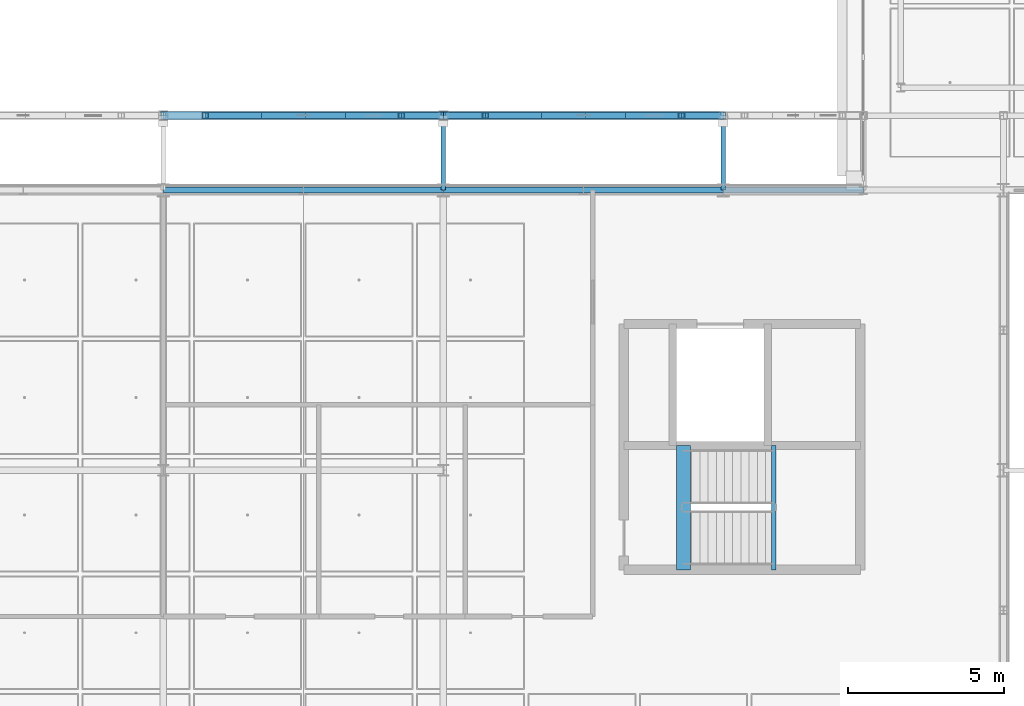
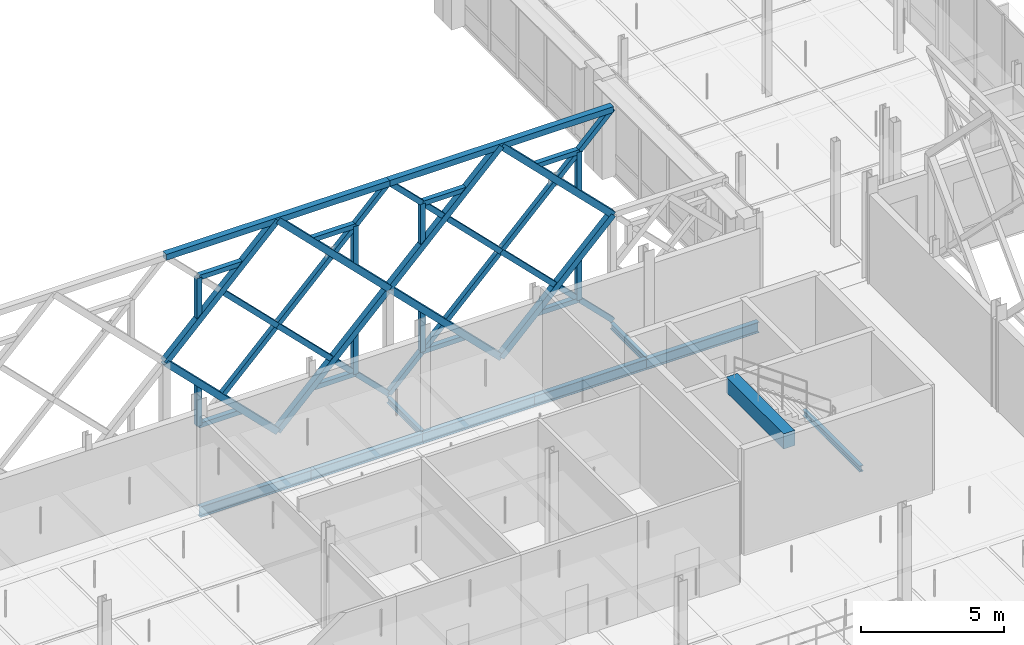
# One storey, part 40 of 140: 38 members, 9 beams.
"""IFC4 building model written with IfcOpenShell, lengths in metres."""

from ifc_helpers import new_model, si_unit, direction, frame, origin, origin_2d, place, context, subcontext, project, spatial, rectangle, hollow_rectangle, i_section, extrude, material, material_profile, profile_set, type_object, element, save


model = new_model("IFC4")

# Units and contexts
model_context = context("Model", 3, precision=1e-05, world=origin(), true_north=direction((0.0, 1.0)))
body_context = subcontext(model_context, "Body", "Model", "MODEL_VIEW")
ifc_project = project(units=[si_unit("LENGTHUNIT", "METRE"), si_unit("AREAUNIT", "SQUARE_METRE"), si_unit("VOLUMEUNIT", "CUBIC_METRE"), si_unit("PLANEANGLEUNIT", "RADIAN"), si_unit("MASSUNIT", "GRAM", prefix="KILO"), si_unit("THERMODYNAMICTEMPERATUREUNIT", "KELVIN"), si_unit("POWERUNIT", "WATT")], contexts=[model_context])

# Site, building, storey
site_placement = place(None, origin())
site = spatial("IfcSite", under=ifc_project, at=site_placement, CompositionType="ELEMENT")
building_placement = place(site_placement, origin())
building = spatial("IfcBuilding", under=site, at=building_placement, Name="Tallowbark Science Centre", CompositionType="ELEMENT")
storey_placement = place(building_placement, frame((0.0, 0.0, 9.89990234375)))
storey = spatial("IfcBuildingStorey", under=building, at=storey_placement, Name="L02", CompositionType="ELEMENT", Elevation=9.89990234375)

# Beams
ifc_material_1 = material(Name="Concrete Grade N40 (40 MPa)", Category="concrete")
ifc_material_profile_1 = material_profile(ifc_material_1, rectangle(XDim=0.449951171875, YDim=0.64990234375, at=origin_2d()), Name="RC450x650")
ifc_profile_set_1 = profile_set([ifc_material_profile_1], Name="Concrete Grade N40 (40 MPa)")
beam_type_1 = type_object("IfcBeamType", Name="BM-GB2-N40", PredefinedType="BEAM", material=ifc_profile_set_1)
beam_1_placement = place(storey_placement, frame((93.2099609375, 28.300048828125, 4.175048828125), z_axis=(0.0, 1.0, 0.0), x_axis=(-1.0, 0.0, 0.0)))
element("IfcBeam", 1, at=beam_1_placement, inside=storey, type_object=beam_type_1, Name="Stair ST-03 Landing Nosing Beam L02", PredefinedType="BEAM", context=body_context, shape_type="SweptSolid", body=[
    extrude(rectangle(XDim=0.449951171875, YDim=0.64990234375, at=origin_2d()), origin(), (0.0, 0.0, 1.0), 3.994873046875),
])
ifc_material_2 = material(Name="White Architectural Painted Steel Grade C350L0 (350 MPa)", Category="steel")
ifc_material_profile_2 = material_profile(ifc_material_2, i_section(OverallWidth=0.146484375, OverallDepth=0.256103515625, WebThickness=0.00634765625, FlangeThickness=0.010986328125, FilletRadius=0.0087890625, at=origin_2d()), Name="250UB37.3")
ifc_profile_set_2 = profile_set([ifc_material_profile_2], Name="White Architectural Painted Steel Grade C350L0 (350 MPa)")
beam_type_2 = type_object("IfcBeamType", Name="BM-OUT250", PredefinedType="BEAM", material=ifc_profile_set_2)
for number, where, z_axis, x_axis, name in (
    (2, (85.5, 40.5, -0.25), (0.0, 1.0, 0.0), (-1.0, 0.0, 0.0), "Star Screen Outrigger Tie Beam N-26"),
    (3, (94.5, 40.5, -0.25), (0.0, 1.0, 0.0), (-1.0, 0.0, 0.0), "Star Screen Outrigger Tie Beam N-28"),
):
    element("IfcBeam", number, at=place(storey_placement, frame(where, z_axis=z_axis, x_axis=x_axis)), inside=storey, type_object=beam_type_2, Name=name, PredefinedType="BEAM", context=body_context, shape_type="SweptSolid", body=[
        extrude(i_section(OverallWidth=0.146484375, OverallDepth=0.256103515625, WebThickness=0.00634765625, FlangeThickness=0.010986328125, FilletRadius=0.0087890625, at=origin_2d()), origin(), (0.0, 0.0, 1.0), 2.39990234375),
    ])
ifc_material_3 = material(Name="Structural Steel Grade 300PLUS (300 MPa)", Category="steel")
ifc_material_profile_3 = material_profile(ifc_material_3, i_section(OverallWidth=0.146484375, OverallDepth=0.256103515625, WebThickness=0.00634765625, FlangeThickness=0.010986328125, FilletRadius=0.0087890625, at=origin_2d()), Name="250UB37.3")
ifc_profile_set_3 = profile_set([ifc_material_profile_3], Name="Structural Steel Grade 300PLUS (300 MPa)")
beam_type_3 = type_object("IfcBeamType", Name="JST-UB250", PredefinedType="JOIST", material=ifc_profile_set_3)
beam_2_placement = place(storey_placement, frame((96.125, 28.300048828125, 1.922119140625), z_axis=(0.0, 1.0, 0.0), x_axis=(-1.0, 0.0, 0.0)))
element("IfcBeam", 4, at=beam_2_placement, inside=storey, type_object=beam_type_3, Name="Stair ST-03 Half-Landing Trimmer L02", PredefinedType="JOIST", context=body_context, shape_type="SweptSolid", body=[
    extrude(i_section(OverallWidth=0.146484375, OverallDepth=0.256103515625, WebThickness=0.00634765625, FlangeThickness=0.010986328125, FilletRadius=0.0087890625, at=origin_2d()), origin(), (0.0, 0.0, 1.0), 3.994873046875),
])

# Members
ifc_material_profile_4 = material_profile(ifc_material_2, hollow_rectangle(XDim=0.25, YDim=0.25, WallThickness=0.009033203125, at=origin_2d()), Name="250x250x9.0SHS")
ifc_profile_set_4 = profile_set([ifc_material_profile_4], Name="White Architectural Painted Steel Grade C350L0 (350 MPa)")
member_type_1 = type_object("IfcMemberType", Name="SCR-CHD200", PredefinedType="CHORD", material=ifc_profile_set_4)
member_1_placement = place(storey_placement, frame((76.5, 42.89990234375, 9.0), z_axis=(1.0, 0.0, 0.0), x_axis=(0.0, 1.0, 0.0)))
element("IfcMember", 5, at=member_1_placement, inside=storey, type_object=member_type_1, Name="Star Screen Frame Chord N-22", PredefinedType="CHORD", context=body_context, shape_type="SweptSolid", body=[
    extrude(hollow_rectangle(XDim=0.25, YDim=0.25, WallThickness=0.009033203125, at=origin_2d()), origin(), (0.0, 0.0, 1.0), 9.0),
])
for number, where, z_axis, x_axis, name in (
    (6, (81.0, 42.89990234375, 0.0), (0.707106781187, 0.0, 0.707106781187), (0.0, 1.0, 0.0), "Star Screen Octagram Diamond Chord N-22-1"),
    (7, (85.5, 42.89990234375, 4.5), (-0.707106781187, 0.0, 0.707106781187), (0.0, -1.0, 0.0), "Star Screen Octagram Diamond Chord N-22-2"),
    (8, (81.0, 42.89990234375, 9.0), (-0.707106781187, 0.0, -0.707106781187), (0.0, -1.0, 0.0), "Star Screen Octagram Diamond Chord N-22-3"),
    (9, (76.5, 42.89990234375, 4.5), (0.707106781187, 0.0, -0.707106781187), (0.0, 1.0, 0.0), "Star Screen Octagram Diamond Chord N-22-4"),
):
    element("IfcMember", number, at=place(storey_placement, frame(where, z_axis=z_axis, x_axis=x_axis)), inside=storey, type_object=member_type_1, Name=name, PredefinedType="CHORD", context=body_context, shape_type="SweptSolid", body=[
        extrude(hollow_rectangle(XDim=0.25, YDim=0.25, WallThickness=0.009033203125, at=origin_2d()), origin(), (0.0, 0.0, 1.0), 6.364013671875),
    ])
member_2_placement = place(storey_placement, frame((85.5, 42.89990234375, 9.0), z_axis=(1.0, 0.0, 0.0), x_axis=(0.0, 1.0, 0.0)))
element("IfcMember", 10, at=member_2_placement, inside=storey, type_object=member_type_1, Name="Star Screen Frame Chord N-24", PredefinedType="CHORD", context=body_context, shape_type="SweptSolid", body=[
    extrude(hollow_rectangle(XDim=0.25, YDim=0.25, WallThickness=0.009033203125, at=origin_2d()), origin(), (0.0, 0.0, 1.0), 9.0),
])
for number, where, z_axis, x_axis, name in (
    (11, (90.0, 42.89990234375, 0.0), (0.707106781187, 0.0, 0.707106781187), (0.0, 1.0, 0.0), "Star Screen Octagram Diamond Chord N-24-1"),
    (12, (94.5, 42.89990234375, 4.5), (-0.707106781187, 0.0, 0.707106781187), (0.0, -1.0, 0.0), "Star Screen Octagram Diamond Chord N-24-2"),
    (13, (90.0, 42.89990234375, 9.0), (-0.707106781187, 0.0, -0.707106781187), (0.0, -1.0, 0.0), "Star Screen Octagram Diamond Chord N-24-3"),
    (14, (85.5, 42.89990234375, 4.5), (0.707106781187, 0.0, -0.707106781187), (0.0, 1.0, 0.0), "Star Screen Octagram Diamond Chord N-24-4"),
):
    element("IfcMember", number, at=place(storey_placement, frame(where, z_axis=z_axis, x_axis=x_axis)), inside=storey, type_object=member_type_1, Name=name, PredefinedType="CHORD", context=body_context, shape_type="SweptSolid", body=[
        extrude(hollow_rectangle(XDim=0.25, YDim=0.25, WallThickness=0.009033203125, at=origin_2d()), origin(), (0.0, 0.0, 1.0), 6.364013671875),
    ])
ifc_material_profile_5 = material_profile(ifc_material_2, hollow_rectangle(XDim=0.199951171875, YDim=0.199951171875, WallThickness=0.009033203125, at=origin_2d()), Name="200x200x9.0SHS")
ifc_profile_set_5 = profile_set([ifc_material_profile_5], Name="White Architectural Painted Steel Grade C350L0 (350 MPa)")
member_type_2 = type_object("IfcMemberType", Name="SCR-STAR139", PredefinedType="BRACE", material=ifc_profile_set_5)
member_3_placement = place(storey_placement, frame((78.75, 42.89990234375, 2.25), z_axis=(0.707106781187, 0.0, 0.707106781187), x_axis=(0.0, 1.0, 0.0)))
element("IfcMember", 15, at=member_3_placement, inside=storey, type_object=member_type_2, Name="Star Screen Continuous X-Diagonal D1M N-22", PredefinedType="BRACE", context=body_context, shape_type="SweptSolid", body=[
    extrude(hollow_rectangle(XDim=0.199951171875, YDim=0.199951171875, WallThickness=0.009033203125, at=origin_2d()), origin(), (0.0, 0.0, 1.0), 6.364013671875),
])
for number, where, z_axis, x_axis, name in (
    (16, (83.25, 42.89990234375, 6.75), (0.707106781187, 0.0, 0.707106781187), (0.0, 1.0, 0.0), "Star Screen Continuous X-Diagonal D1B N-22"),
    (17, (78.75, 42.89990234375, 6.75), (0.707106781187, 0.0, -0.707106781187), (0.0, 1.0, 0.0), "Star Screen Split X-Diagonal D2B N-22"),
    (18, (81.0, 42.89990234375, 4.5), (0.707106781187, 0.0, -0.707106781187), (0.0, 1.0, 0.0), "Star Screen Split X-Diagonal D2C N-22"),
    (19, (83.25, 42.89990234375, 2.25), (0.707106781187, 0.0, -0.707106781187), (0.0, 1.0, 0.0), "Star Screen Split X-Diagonal D2D N-22"),
    (20, (85.5, 42.89990234375, 0.0), (0.707106781187, 0.0, 0.707106781187), (0.0, 1.0, 0.0), "Star Screen Continuous X-Diagonal D1A N-24"),
):
    element("IfcMember", number, at=place(storey_placement, frame(where, z_axis=z_axis, x_axis=x_axis)), inside=storey, type_object=member_type_2, Name=name, PredefinedType="BRACE", context=body_context, shape_type="SweptSolid", body=[
        extrude(hollow_rectangle(XDim=0.199951171875, YDim=0.199951171875, WallThickness=0.009033203125, at=origin_2d()), origin(), (0.0, 0.0, 1.0), 3.181884765625),
    ])
member_4_placement = place(storey_placement, frame((87.75, 42.89990234375, 2.25), z_axis=(0.707106781187, 0.0, 0.707106781187), x_axis=(0.0, 1.0, 0.0)))
element("IfcMember", 21, at=member_4_placement, inside=storey, type_object=member_type_2, Name="Star Screen Continuous X-Diagonal D1M N-24", PredefinedType="BRACE", context=body_context, shape_type="SweptSolid", body=[
    extrude(hollow_rectangle(XDim=0.199951171875, YDim=0.199951171875, WallThickness=0.009033203125, at=origin_2d()), origin(), (0.0, 0.0, 1.0), 6.364013671875),
])
for number, where, z_axis, x_axis, name in (
    (22, (92.25, 42.89990234375, 6.75), (0.707106781187, 0.0, 0.707106781187), (0.0, 1.0, 0.0), "Star Screen Continuous X-Diagonal D1B N-24"),
    (23, (85.5, 42.89990234375, 9.0), (0.707106781187, 0.0, -0.707106781187), (0.0, 1.0, 0.0), "Star Screen Split X-Diagonal D2A N-24"),
    (24, (87.75, 42.89990234375, 6.75), (0.707106781187, 0.0, -0.707106781187), (0.0, 1.0, 0.0), "Star Screen Split X-Diagonal D2B N-24"),
    (25, (90.0, 42.89990234375, 4.5), (0.707106781187, 0.0, -0.707106781187), (0.0, 1.0, 0.0), "Star Screen Split X-Diagonal D2C N-24"),
    (26, (92.25, 42.89990234375, 2.25), (0.707106781187, 0.0, -0.707106781187), (0.0, 1.0, 0.0), "Star Screen Split X-Diagonal D2D N-24"),
):
    element("IfcMember", number, at=place(storey_placement, frame(where, z_axis=z_axis, x_axis=x_axis)), inside=storey, type_object=member_type_2, Name=name, PredefinedType="BRACE", context=body_context, shape_type="SweptSolid", body=[
        extrude(hollow_rectangle(XDim=0.199951171875, YDim=0.199951171875, WallThickness=0.009033203125, at=origin_2d()), origin(), (0.0, 0.0, 1.0), 3.181884765625),
    ])
ifc_material_profile_6 = material_profile(ifc_material_2, hollow_rectangle(XDim=0.199951171875, YDim=0.199951171875, WallThickness=0.009033203125, at=origin_2d()), Name="200x200x9.0SHS")
ifc_profile_set_6 = profile_set([ifc_material_profile_6], Name="White Architectural Painted Steel Grade C350L0 (350 MPa)")
member_type_3 = type_object("IfcMemberType", Name="SCR-SUB150", PredefinedType="BRACE", material=ifc_profile_set_6)
member_5_placement = place(storey_placement, frame((77.85009765625, 42.89990234375, 1.35009765625), z_axis=(1.0, 0.0, 0.0), x_axis=(0.0, 1.0, 0.0)))
element("IfcMember", 27, at=member_5_placement, inside=storey, type_object=member_type_3, Name="Star Screen Octagram Point Ray N-22-1", PredefinedType="BRACE", context=body_context, shape_type="SweptSolid", body=[
    extrude(hollow_rectangle(XDim=0.199951171875, YDim=0.199951171875, WallThickness=0.009033203125, at=origin_2d()), origin(), (0.0, 0.0, 1.0), 1.7998046875),
])
member_6_placement = place(storey_placement, frame((77.85009765625, 42.89990234375, 1.35009765625), z_axis=(0.0, 0.0, 1.0), x_axis=(1.0, 0.0, 0.0)))
element("IfcMember", 28, at=member_6_placement, inside=storey, type_object=member_type_3, Name="Star Screen Octagram Point Ray N-22-2", PredefinedType="BRACE", context=body_context, shape_type="SweptSolid", body=[
    extrude(hollow_rectangle(XDim=0.199951171875, YDim=0.199951171875, WallThickness=0.009033203125, at=origin_2d()), origin(), (0.0, 0.0, 1.0), 1.800048828125),
])
member_7_placement = place(storey_placement, frame((84.14990234375, 42.89990234375, 1.35009765625), z_axis=(-1.0, 0.0, 0.0), x_axis=(0.0, -1.0, 0.0)))
element("IfcMember", 29, at=member_7_placement, inside=storey, type_object=member_type_3, Name="Star Screen Octagram Point Ray N-22-3", PredefinedType="BRACE", context=body_context, shape_type="SweptSolid", body=[
    extrude(hollow_rectangle(XDim=0.199951171875, YDim=0.199951171875, WallThickness=0.009033203125, at=origin_2d()), origin(), (0.0, 0.0, 1.0), 1.7998046875),
])
member_8_placement = place(storey_placement, frame((84.14990234375, 42.89990234375, 1.35009765625), z_axis=(0.0, 0.0, 1.0), x_axis=(1.0, 0.0, 0.0)))
element("IfcMember", 30, at=member_8_placement, inside=storey, type_object=member_type_3, Name="Star Screen Octagram Point Ray N-22-4", PredefinedType="BRACE", context=body_context, shape_type="SweptSolid", body=[
    extrude(hollow_rectangle(XDim=0.199951171875, YDim=0.199951171875, WallThickness=0.009033203125, at=origin_2d()), origin(), (0.0, 0.0, 1.0), 1.800048828125),
])
member_9_placement = place(storey_placement, frame((84.14990234375, 42.89990234375, 7.650146484375), z_axis=(-1.0, 0.0, 0.0), x_axis=(0.0, -1.0, 0.0)))
element("IfcMember", 31, at=member_9_placement, inside=storey, type_object=member_type_3, Name="Star Screen Octagram Point Ray N-22-5", PredefinedType="BRACE", context=body_context, shape_type="SweptSolid", body=[
    extrude(hollow_rectangle(XDim=0.199951171875, YDim=0.199951171875, WallThickness=0.009033203125, at=origin_2d()), origin(), (0.0, 0.0, 1.0), 1.7998046875),
])
member_10_placement = place(storey_placement, frame((84.14990234375, 42.89990234375, 7.650146484375), z_axis=(0.0, 0.0, -1.0), x_axis=(1.0, 0.0, 0.0)))
element("IfcMember", 32, at=member_10_placement, inside=storey, type_object=member_type_3, Name="Star Screen Octagram Point Ray N-22-6", PredefinedType="BRACE", context=body_context, shape_type="SweptSolid", body=[
    extrude(hollow_rectangle(XDim=0.199951171875, YDim=0.199951171875, WallThickness=0.009033203125, at=origin_2d()), origin(), (0.0, 0.0, 1.0), 1.800048828125),
])
member_11_placement = place(storey_placement, frame((77.85009765625, 42.89990234375, 7.650146484375), z_axis=(1.0, 0.0, 0.0), x_axis=(0.0, 1.0, 0.0)))
element("IfcMember", 33, at=member_11_placement, inside=storey, type_object=member_type_3, Name="Star Screen Octagram Point Ray N-22-7", PredefinedType="BRACE", context=body_context, shape_type="SweptSolid", body=[
    extrude(hollow_rectangle(XDim=0.199951171875, YDim=0.199951171875, WallThickness=0.009033203125, at=origin_2d()), origin(), (0.0, 0.0, 1.0), 1.7998046875),
])
member_12_placement = place(storey_placement, frame((77.85009765625, 42.89990234375, 7.650146484375), z_axis=(0.0, 0.0, -1.0), x_axis=(1.0, 0.0, 0.0)))
element("IfcMember", 34, at=member_12_placement, inside=storey, type_object=member_type_3, Name="Star Screen Octagram Point Ray N-22-8", PredefinedType="BRACE", context=body_context, shape_type="SweptSolid", body=[
    extrude(hollow_rectangle(XDim=0.199951171875, YDim=0.199951171875, WallThickness=0.009033203125, at=origin_2d()), origin(), (0.0, 0.0, 1.0), 1.800048828125),
])
member_13_placement = place(storey_placement, frame((86.85009765625, 42.89990234375, 1.35009765625), z_axis=(1.0, 0.0, 0.0), x_axis=(0.0, 1.0, 0.0)))
element("IfcMember", 35, at=member_13_placement, inside=storey, type_object=member_type_3, Name="Star Screen Octagram Point Ray N-24-1", PredefinedType="BRACE", context=body_context, shape_type="SweptSolid", body=[
    extrude(hollow_rectangle(XDim=0.199951171875, YDim=0.199951171875, WallThickness=0.009033203125, at=origin_2d()), origin(), (0.0, 0.0, 1.0), 1.7998046875),
])
member_14_placement = place(storey_placement, frame((86.85009765625, 42.89990234375, 1.35009765625), z_axis=(0.0, 0.0, 1.0), x_axis=(1.0, 0.0, 0.0)))
element("IfcMember", 36, at=member_14_placement, inside=storey, type_object=member_type_3, Name="Star Screen Octagram Point Ray N-24-2", PredefinedType="BRACE", context=body_context, shape_type="SweptSolid", body=[
    extrude(hollow_rectangle(XDim=0.199951171875, YDim=0.199951171875, WallThickness=0.009033203125, at=origin_2d()), origin(), (0.0, 0.0, 1.0), 1.800048828125),
])
member_15_placement = place(storey_placement, frame((93.14990234375, 42.89990234375, 1.35009765625), z_axis=(-1.0, 0.0, 0.0), x_axis=(0.0, -1.0, 0.0)))
element("IfcMember", 37, at=member_15_placement, inside=storey, type_object=member_type_3, Name="Star Screen Octagram Point Ray N-24-3", PredefinedType="BRACE", context=body_context, shape_type="SweptSolid", body=[
    extrude(hollow_rectangle(XDim=0.199951171875, YDim=0.199951171875, WallThickness=0.009033203125, at=origin_2d()), origin(), (0.0, 0.0, 1.0), 1.7998046875),
])
member_16_placement = place(storey_placement, frame((93.14990234375, 42.89990234375, 1.35009765625), z_axis=(0.0, 0.0, 1.0), x_axis=(1.0, 0.0, 0.0)))
element("IfcMember", 38, at=member_16_placement, inside=storey, type_object=member_type_3, Name="Star Screen Octagram Point Ray N-24-4", PredefinedType="BRACE", context=body_context, shape_type="SweptSolid", body=[
    extrude(hollow_rectangle(XDim=0.199951171875, YDim=0.199951171875, WallThickness=0.009033203125, at=origin_2d()), origin(), (0.0, 0.0, 1.0), 1.800048828125),
])
member_17_placement = place(storey_placement, frame((93.14990234375, 42.89990234375, 7.650146484375), z_axis=(-1.0, 0.0, 0.0), x_axis=(0.0, -1.0, 0.0)))
element("IfcMember", 39, at=member_17_placement, inside=storey, type_object=member_type_3, Name="Star Screen Octagram Point Ray N-24-5", PredefinedType="BRACE", context=body_context, shape_type="SweptSolid", body=[
    extrude(hollow_rectangle(XDim=0.199951171875, YDim=0.199951171875, WallThickness=0.009033203125, at=origin_2d()), origin(), (0.0, 0.0, 1.0), 1.7998046875),
])
member_18_placement = place(storey_placement, frame((93.14990234375, 42.89990234375, 7.650146484375), z_axis=(0.0, 0.0, -1.0), x_axis=(1.0, 0.0, 0.0)))
element("IfcMember", 40, at=member_18_placement, inside=storey, type_object=member_type_3, Name="Star Screen Octagram Point Ray N-24-6", PredefinedType="BRACE", context=body_context, shape_type="SweptSolid", body=[
    extrude(hollow_rectangle(XDim=0.199951171875, YDim=0.199951171875, WallThickness=0.009033203125, at=origin_2d()), origin(), (0.0, 0.0, 1.0), 1.800048828125),
])
member_19_placement = place(storey_placement, frame((86.85009765625, 42.89990234375, 7.650146484375), z_axis=(1.0, 0.0, 0.0), x_axis=(0.0, 1.0, 0.0)))
element("IfcMember", 41, at=member_19_placement, inside=storey, type_object=member_type_3, Name="Star Screen Octagram Point Ray N-24-7", PredefinedType="BRACE", context=body_context, shape_type="SweptSolid", body=[
    extrude(hollow_rectangle(XDim=0.199951171875, YDim=0.199951171875, WallThickness=0.009033203125, at=origin_2d()), origin(), (0.0, 0.0, 1.0), 1.7998046875),
])
member_20_placement = place(storey_placement, frame((86.85009765625, 42.89990234375, 7.650146484375), z_axis=(0.0, 0.0, -1.0), x_axis=(1.0, 0.0, 0.0)))
element("IfcMember", 42, at=member_20_placement, inside=storey, type_object=member_type_3, Name="Star Screen Octagram Point Ray N-24-8", PredefinedType="BRACE", context=body_context, shape_type="SweptSolid", body=[
    extrude(hollow_rectangle(XDim=0.199951171875, YDim=0.199951171875, WallThickness=0.009033203125, at=origin_2d()), origin(), (0.0, 0.0, 1.0), 1.800048828125),
])

# Beams
ifc_material_profile_7 = material_profile(ifc_material_3, i_section(OverallWidth=0.18994140625, OverallDepth=0.453857421875, WebThickness=0.008544921875, FlangeThickness=0.0126953125, FilletRadius=0.011474609375, at=origin_2d()), Name="460UB67.1")
ifc_profile_set_7 = profile_set([ifc_material_profile_7], Name="Structural Steel Grade 300PLUS (300 MPa)")
beam_type_4 = type_object("IfcBeamType", Name="SPN-UB460", PredefinedType="SPANDREL", material=ifc_profile_set_7)
for number, where, z_axis, x_axis, name in (
    (43, (76.5, 40.5, -0.40673828125), (1.0, 0.0, 0.0), (0.0, 1.0, 0.0), "Primary Girder GRDX-L02-765-810-405"),
    (44, (81.0, 40.5, -0.40673828125), (1.0, 0.0, 0.0), (0.0, 1.0, 0.0), "Primary Girder GRDX-L02-810-855-405"),
    (45, (85.5, 40.5, -0.40673828125), (1.0, 0.0, 0.0), (0.0, 1.0, 0.0), "Primary Girder GRDX-L02-855-900-405"),
    (46, (90.0, 40.5, -0.40673828125), (1.0, 0.0, 0.0), (0.0, 1.0, 0.0), "Primary Girder GRDX-L02-900-945-405"),
    (47, (94.5, 40.5, -0.40673828125), (1.0, 0.0, 0.0), (0.0, 1.0, 0.0), "Primary Girder GRDX-L02-945-990-405"),
):
    element("IfcBeam", number, at=place(storey_placement, frame(where, z_axis=z_axis, x_axis=x_axis)), inside=storey, type_object=beam_type_4, Name=name, PredefinedType="SPANDREL", context=body_context, shape_type="SweptSolid", body=[
        extrude(i_section(OverallWidth=0.18994140625, OverallDepth=0.453857421875, WebThickness=0.008544921875, FlangeThickness=0.0126953125, FilletRadius=0.011474609375, at=origin_2d()), origin(), (0.0, 0.0, 1.0), 4.5),
    ])

save(model, "model.ifc")
